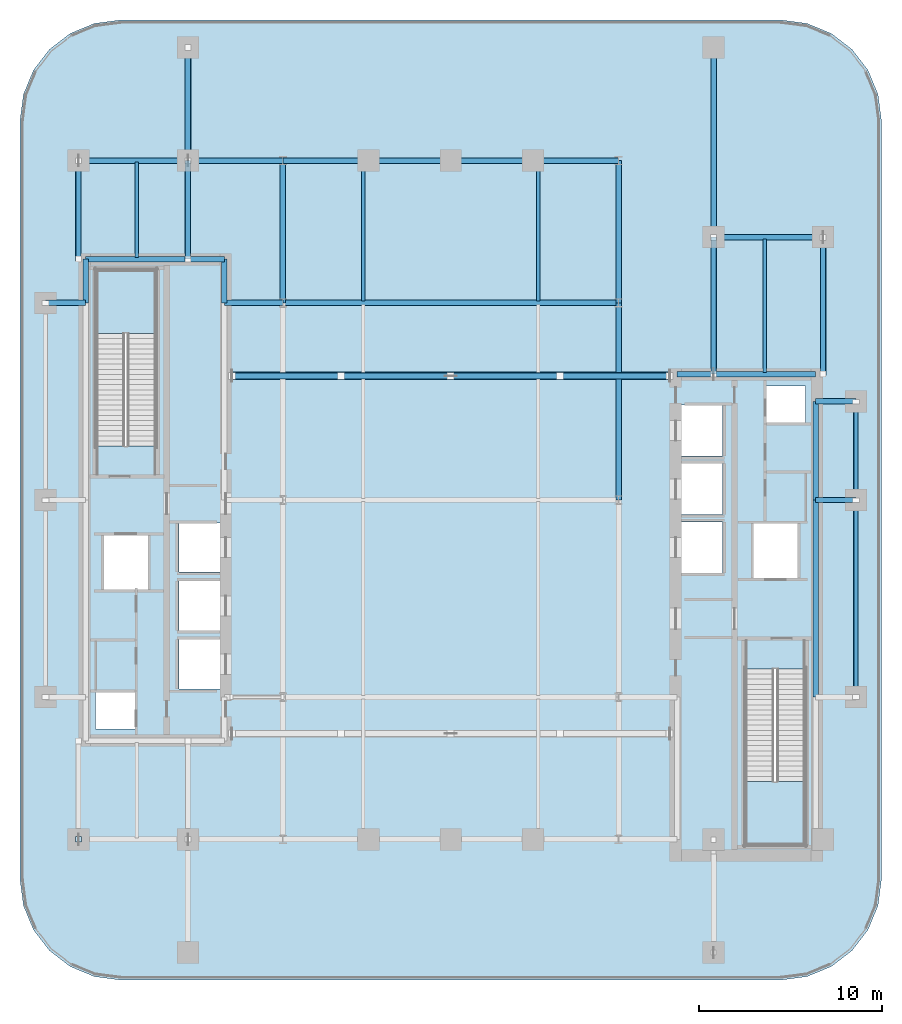
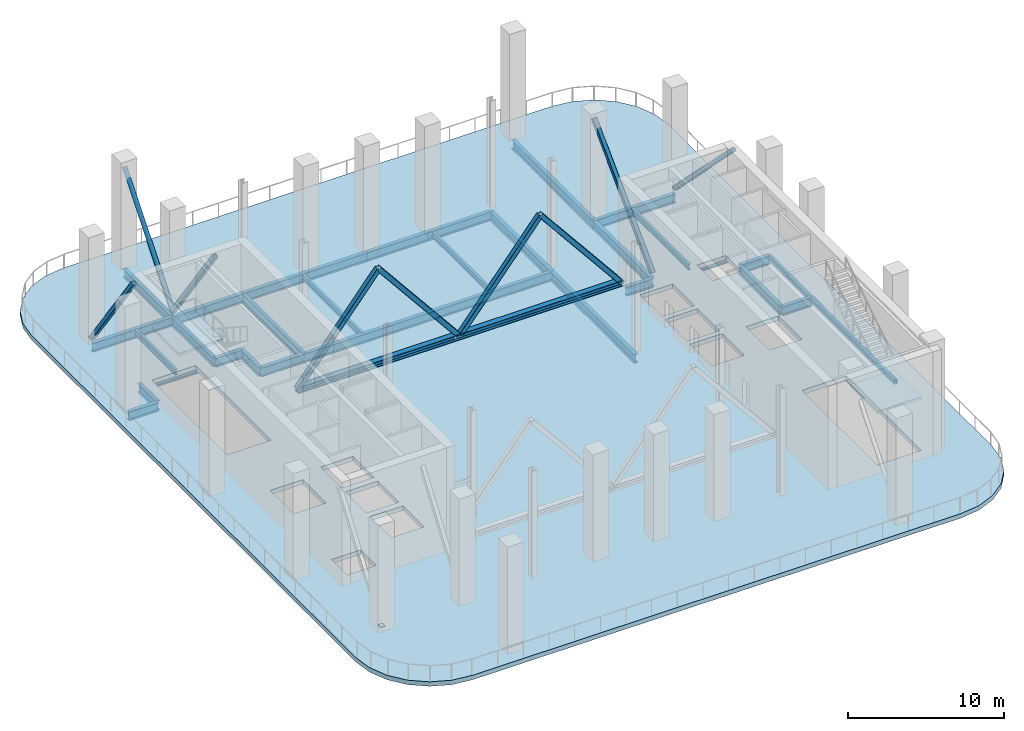
# One storey, part 2 of 13: 33 beams, 10 members, 3 slabs, 1 plate, 2 elements without a shape of their own.
"""IFC4 building model written with IfcOpenShell, lengths in metres."""

from ifc_helpers import new_model, si_unit, direction, frame, origin, origin_2d, place, context, subcontext, project, spatial, polyline, rectangle, hollow_rectangle, hollow_circle, i_section, outline, extrude, material, layer, layer_set, material_profile, profile_set, type_object, element, aggregate, save


model = new_model("IFC4")

# Units and contexts
model_context = context("Model", 3, precision=1e-05, world=origin(), true_north=direction((0.0, 1.0)))
body_context = subcontext(model_context, "Body", "Model", "MODEL_VIEW")
ifc_project = project(units=[si_unit("LENGTHUNIT", "METRE"), si_unit("AREAUNIT", "SQUARE_METRE"), si_unit("VOLUMEUNIT", "CUBIC_METRE"), si_unit("PLANEANGLEUNIT", "RADIAN"), si_unit("MASSUNIT", "GRAM", prefix="KILO")], contexts=[model_context])

# Site, building, storey
site_placement = place(None, origin())
site = spatial("IfcSite", under=ifc_project, at=site_placement, CompositionType="ELEMENT")
building_placement = place(site_placement, origin())
building = spatial("IfcBuilding", under=site, at=building_placement, Name="Khairoan Windgate Tower", CompositionType="ELEMENT")
storey_placement = place(building_placement, frame((0.0, 0.0, 152.0)))
storey = spatial("IfcBuildingStorey", under=building, at=storey_placement, Name="L35", CompositionType="ELEMENT", Elevation=152.0)

# Beams
ifc_material_1 = material(Name="Steel S355", Category="steel")
ifc_material_profile_1 = material_profile(ifc_material_1, i_section(OverallWidth=0.300048828125, OverallDepth=0.699951171875, WebThickness=0.012939453125, FlangeThickness=0.02392578125, FilletRadius=0.02587890625, at=origin_2d()))
ifc_profile_set_1 = profile_set([ifc_material_profile_1], Name="Steel S355")
beam_type_1 = type_object("IfcBeamType", Name="Beam B-G3 H700x300x13x24", PredefinedType="BEAM", material=ifc_profile_set_1)
for number, where, z_axis, x_axis, name in (
    (1, (20.0, 0.0, -0.699951171875), (1.0, 0.0, 0.0), (0.0, 1.0, 0.0), "L35 E-W Primary Girder 18"),
    (2, (20.0, 5.39990234375, -0.699951171875), (1.0, 0.0, 0.0), (0.0, 1.0, 0.0), "L35 E-W Primary Girder 19"),
):
    element("IfcBeam", number, at=place(storey_placement, frame(where, z_axis=z_axis, x_axis=x_axis)), inside=storey, type_object=beam_type_1, Name=name, PredefinedType="BEAM", context=body_context, shape_type="SweptSolid", body=[
        extrude(i_section(OverallWidth=0.300048828125, OverallDepth=0.699951171875, WebThickness=0.012939453125, FlangeThickness=0.02392578125, FilletRadius=0.02587890625, at=origin_2d()), origin(), (0.0, 0.0, 1.0), 2.199951171875),
    ])
beam_1_placement = place(storey_placement, frame((12.39990234375, 6.89990234375, -0.699951171875), z_axis=(1.0, 0.0, 0.0), x_axis=(0.0, 1.0, 0.0)))
element("IfcBeam", 3, at=beam_1_placement, inside=storey, type_object=beam_type_1, Name="L35 E-W Primary Girder 20", PredefinedType="BEAM", context=body_context, shape_type="SweptSolid", body=[
    extrude(i_section(OverallWidth=0.300048828125, OverallDepth=0.699951171875, WebThickness=0.012939453125, FlangeThickness=0.02392578125, FilletRadius=0.02587890625, at=origin_2d()), origin(), (0.0, 0.0, 1.0), 2.0),
])
beam_2_placement = place(storey_placement, frame((14.39990234375, 6.89990234375, -0.699951171875), z_axis=(1.0, 0.0, 0.0), x_axis=(0.0, 1.0, 0.0)))
element("IfcBeam", 4, at=beam_2_placement, inside=storey, type_object=beam_type_1, Name="L35 E-W Primary Girder 21", PredefinedType="BEAM", context=body_context, shape_type="SweptSolid", body=[
    extrude(i_section(OverallWidth=0.300048828125, OverallDepth=0.699951171875, WebThickness=0.012939453125, FlangeThickness=0.02392578125, FilletRadius=0.02587890625, at=origin_2d()), origin(), (0.0, 0.0, 1.0), 5.60009765625),
])
beam_3_placement = place(storey_placement, frame((-22.199951171875, 10.800048828125, -0.699951171875), z_axis=(1.0, 0.0, 0.0), x_axis=(0.0, 1.0, 0.0)))
element("IfcBeam", 5, at=beam_3_placement, inside=storey, type_object=beam_type_1, Name="L35 E-W Primary Girder 22", PredefinedType="BEAM", context=body_context, shape_type="SweptSolid", body=[
    extrude(i_section(OverallWidth=0.300048828125, OverallDepth=0.699951171875, WebThickness=0.012939453125, FlangeThickness=0.02392578125, FilletRadius=0.02587890625, at=origin_2d()), origin(), (0.0, 0.0, 1.0), 2.199951171875),
])
beam_4_placement = place(storey_placement, frame((-12.39990234375, 10.800048828125, -0.699951171875), z_axis=(1.0, 0.0, 0.0), x_axis=(0.0, 1.0, 0.0)))
element("IfcBeam", 6, at=beam_4_placement, inside=storey, type_object=beam_type_1, Name="L35 E-W Primary Girder 23", PredefinedType="BEAM", context=body_context, shape_type="SweptSolid", body=[
    extrude(i_section(OverallWidth=0.300048828125, OverallDepth=0.699951171875, WebThickness=0.012939453125, FlangeThickness=0.02392578125, FilletRadius=0.02587890625, at=origin_2d()), origin(), (0.0, 0.0, 1.0), 3.199951171875),
])
beam_5_placement = place(storey_placement, frame((-9.199951171875, 10.800048828125, -0.699951171875), z_axis=(1.0, 0.0, 0.0), x_axis=(0.0, 1.0, 0.0)))
element("IfcBeam", 7, at=beam_5_placement, inside=storey, type_object=beam_type_1, Name="L35 E-W Primary Girder 24", PredefinedType="BEAM", context=body_context, shape_type="SweptSolid", body=[
    extrude(i_section(OverallWidth=0.300048828125, OverallDepth=0.699951171875, WebThickness=0.012939453125, FlangeThickness=0.02392578125, FilletRadius=0.02587890625, at=origin_2d()), origin(), (0.0, 0.0, 1.0), 18.39990234375),
])
beam_6_placement = place(storey_placement, frame((-20.0, 13.199951171875, -0.699951171875), z_axis=(1.0, 0.0, 0.0), x_axis=(0.0, 1.0, 0.0)))
element("IfcBeam", 8, at=beam_6_placement, inside=storey, type_object=beam_type_1, Name="L35 E-W Primary Girder 25", PredefinedType="BEAM", context=body_context, shape_type="SweptSolid", body=[
    extrude(i_section(OverallWidth=0.300048828125, OverallDepth=0.699951171875, WebThickness=0.012939453125, FlangeThickness=0.02392578125, FilletRadius=0.02587890625, at=origin_2d()), origin(), (0.0, 0.0, 1.0), 5.60009765625),
])
beam_7_placement = place(storey_placement, frame((-14.39990234375, 13.199951171875, -0.699951171875), z_axis=(1.0, 0.0, 0.0), x_axis=(0.0, 1.0, 0.0)))
element("IfcBeam", 9, at=beam_7_placement, inside=storey, type_object=beam_type_1, Name="L35 E-W Primary Girder 26", PredefinedType="BEAM", context=body_context, shape_type="SweptSolid", body=[
    extrude(i_section(OverallWidth=0.300048828125, OverallDepth=0.699951171875, WebThickness=0.012939453125, FlangeThickness=0.02392578125, FilletRadius=0.02587890625, at=origin_2d()), origin(), (0.0, 0.0, 1.0), 2.0),
])
for number, where, z_axis, x_axis, name in (
    (10, (14.39990234375, 14.39990234375, -0.699951171875), (1.0, 0.0, 0.0), (0.0, 1.0, 0.0), "L35 E-W Primary Girder 27"),
    (11, (-20.39990234375, 18.60009765625, -0.699951171875), (1.0, 0.0, 0.0), (0.0, 1.0, 0.0), "L35 E-W Primary Girder 28"),
):
    element("IfcBeam", number, at=place(storey_placement, frame(where, z_axis=z_axis, x_axis=x_axis)), inside=storey, type_object=beam_type_1, Name=name, PredefinedType="BEAM", context=body_context, shape_type="SweptSolid", body=[
        extrude(i_section(OverallWidth=0.300048828125, OverallDepth=0.699951171875, WebThickness=0.012939453125, FlangeThickness=0.02392578125, FilletRadius=0.02587890625, at=origin_2d()), origin(), (0.0, 0.0, 1.0), 6.0),
    ])
beam_8_placement = place(storey_placement, frame((-14.39990234375, 18.60009765625, -0.699951171875), z_axis=(1.0, 0.0, 0.0), x_axis=(0.0, 1.0, 0.0)))
element("IfcBeam", 12, at=beam_8_placement, inside=storey, type_object=beam_type_1, Name="L35 E-W Primary Girder 29", PredefinedType="BEAM", context=body_context, shape_type="SweptSolid", body=[
    extrude(i_section(OverallWidth=0.300048828125, OverallDepth=0.699951171875, WebThickness=0.012939453125, FlangeThickness=0.02392578125, FilletRadius=0.02587890625, at=origin_2d()), origin(), (0.0, 0.0, 1.0), 5.199951171875),
])
beam_9_placement = place(storey_placement, frame((-9.199951171875, 18.60009765625, -0.699951171875), z_axis=(1.0, 0.0, 0.0), x_axis=(0.0, 1.0, 0.0)))
element("IfcBeam", 13, at=beam_9_placement, inside=storey, type_object=beam_type_1, Name="L35 E-W Primary Girder 30", PredefinedType="BEAM", context=body_context, shape_type="SweptSolid", body=[
    extrude(i_section(OverallWidth=0.300048828125, OverallDepth=0.699951171875, WebThickness=0.012939453125, FlangeThickness=0.02392578125, FilletRadius=0.02587890625, at=origin_2d()), origin(), (0.0, 0.0, 1.0), 4.699951171875),
])
for number, where, z_axis, x_axis, name in (
    (14, (-4.5, 18.60009765625, -0.699951171875), (1.0, 0.0, 0.0), (0.0, 1.0, 0.0), "L35 E-W Primary Girder 31"),
    (15, (0.0, 18.60009765625, -0.699951171875), (1.0, 0.0, 0.0), (0.0, 1.0, 0.0), "L35 E-W Primary Girder 32"),
):
    element("IfcBeam", number, at=place(storey_placement, frame(where, z_axis=z_axis, x_axis=x_axis)), inside=storey, type_object=beam_type_1, Name=name, PredefinedType="BEAM", context=body_context, shape_type="SweptSolid", body=[
        extrude(i_section(OverallWidth=0.300048828125, OverallDepth=0.699951171875, WebThickness=0.012939453125, FlangeThickness=0.02392578125, FilletRadius=0.02587890625, at=origin_2d()), origin(), (0.0, 0.0, 1.0), 4.5),
    ])
beam_10_placement = place(storey_placement, frame((4.5, 18.60009765625, -0.699951171875), z_axis=(1.0, 0.0, 0.0), x_axis=(0.0, 1.0, 0.0)))
element("IfcBeam", 16, at=beam_10_placement, inside=storey, type_object=beam_type_1, Name="L35 E-W Primary Girder 33", PredefinedType="BEAM", context=body_context, shape_type="SweptSolid", body=[
    extrude(i_section(OverallWidth=0.300048828125, OverallDepth=0.699951171875, WebThickness=0.012939453125, FlangeThickness=0.02392578125, FilletRadius=0.02587890625, at=origin_2d()), origin(), (0.0, 0.0, 1.0), 4.699951171875),
])
beam_11_placement = place(storey_placement, frame((-20.0, 10.800048828125, -0.699951171875), z_axis=(0.0, 1.0, 0.0), x_axis=(-1.0, 0.0, 0.0)))
element("IfcBeam", 17, at=beam_11_placement, inside=storey, type_object=beam_type_1, Name="L35 N-S Primary Beam 39", PredefinedType="BEAM", context=body_context, shape_type="SweptSolid", body=[
    extrude(i_section(OverallWidth=0.300048828125, OverallDepth=0.699951171875, WebThickness=0.012939453125, FlangeThickness=0.02392578125, FilletRadius=0.02587890625, at=origin_2d()), origin(), (0.0, 0.0, 1.0), 2.39990234375),
])
beam_12_placement = place(storey_placement, frame((-14.39990234375, 13.199951171875, -0.699951171875), z_axis=(0.0, 1.0, 0.0), x_axis=(-1.0, 0.0, 0.0)))
element("IfcBeam", 18, at=beam_12_placement, inside=storey, type_object=beam_type_1, Name="L35 N-S Primary Beam 42", PredefinedType="BEAM", context=body_context, shape_type="SweptSolid", body=[
    extrude(i_section(OverallWidth=0.300048828125, OverallDepth=0.699951171875, WebThickness=0.012939453125, FlangeThickness=0.02392578125, FilletRadius=0.02587890625, at=origin_2d()), origin(), (0.0, 0.0, 1.0), 5.400146484375),
])
beam_13_placement = place(storey_placement, frame((-14.39990234375, 18.60009765625, -0.699951171875), z_axis=(0.0, 1.0, 0.0), x_axis=(-1.0, 0.0, 0.0)))
element("IfcBeam", 19, at=beam_13_placement, inside=storey, type_object=beam_type_1, Name="L35 N-S Primary Beam 43", PredefinedType="BEAM", context=body_context, shape_type="SweptSolid", body=[
    extrude(i_section(OverallWidth=0.300048828125, OverallDepth=0.699951171875, WebThickness=0.012939453125, FlangeThickness=0.02392578125, FilletRadius=0.02587890625, at=origin_2d()), origin(), (0.0, 0.0, 1.0), 6.199951171875),
])
beam_14_placement = place(storey_placement, frame((-12.39990234375, 10.800048828125, -0.699951171875), z_axis=(0.0, 1.0, 0.0), x_axis=(-1.0, 0.0, 0.0)))
element("IfcBeam", 20, at=beam_14_placement, inside=storey, type_object=beam_type_1, Name="L35 N-S Primary Beam 46", PredefinedType="BEAM", context=body_context, shape_type="SweptSolid", body=[
    extrude(i_section(OverallWidth=0.300048828125, OverallDepth=0.699951171875, WebThickness=0.012939453125, FlangeThickness=0.02392578125, FilletRadius=0.02587890625, at=origin_2d()), origin(), (0.0, 0.0, 1.0), 2.39990234375),
])
beam_15_placement = place(storey_placement, frame((-9.199951171875, 10.800048828125, -0.699951171875), z_axis=(0.0, 1.0, 0.0), x_axis=(-1.0, 0.0, 0.0)))
element("IfcBeam", 21, at=beam_15_placement, inside=storey, type_object=beam_type_1, Name="L35 N-S Primary Beam 50", PredefinedType="BEAM", context=body_context, shape_type="SweptSolid", body=[
    extrude(i_section(OverallWidth=0.300048828125, OverallDepth=0.699951171875, WebThickness=0.012939453125, FlangeThickness=0.02392578125, FilletRadius=0.02587890625, at=origin_2d()), origin(), (0.0, 0.0, 1.0), 7.800048828125),
])
beam_16_placement = place(storey_placement, frame((9.199951171875, 0.0, -0.699951171875), z_axis=(0.0, 1.0, 0.0), x_axis=(-1.0, 0.0, 0.0)))
element("IfcBeam", 22, at=beam_16_placement, inside=storey, type_object=beam_type_1, Name="L35 N-S Primary Beam 53", PredefinedType="BEAM", context=body_context, shape_type="SweptSolid", body=[
    extrude(i_section(OverallWidth=0.300048828125, OverallDepth=0.699951171875, WebThickness=0.012939453125, FlangeThickness=0.02392578125, FilletRadius=0.02587890625, at=origin_2d()), origin(), (0.0, 0.0, 1.0), 10.800048828125),
])
beam_17_placement = place(storey_placement, frame((9.199951171875, 10.800048828125, -0.699951171875), z_axis=(0.0, 1.0, 0.0), x_axis=(-1.0, 0.0, 0.0)))
element("IfcBeam", 23, at=beam_17_placement, inside=storey, type_object=beam_type_1, Name="L35 N-S Primary Beam 54", PredefinedType="BEAM", context=body_context, shape_type="SweptSolid", body=[
    extrude(i_section(OverallWidth=0.300048828125, OverallDepth=0.699951171875, WebThickness=0.012939453125, FlangeThickness=0.02392578125, FilletRadius=0.02587890625, at=origin_2d()), origin(), (0.0, 0.0, 1.0), 7.800048828125),
])
beam_18_placement = place(storey_placement, frame((14.39990234375, 6.89990234375, -0.699951171875), z_axis=(0.0, 1.0, 0.0), x_axis=(-1.0, 0.0, 0.0)))
element("IfcBeam", 24, at=beam_18_placement, inside=storey, type_object=beam_type_1, Name="L35 N-S Primary Beam 57", PredefinedType="BEAM", context=body_context, shape_type="SweptSolid", body=[
    extrude(i_section(OverallWidth=0.300048828125, OverallDepth=0.699951171875, WebThickness=0.012939453125, FlangeThickness=0.02392578125, FilletRadius=0.02587890625, at=origin_2d()), origin(), (0.0, 0.0, 1.0), 7.5),
])
beam_19_placement = place(storey_placement, frame((14.39990234375, 14.39990234375, -0.699951171875), z_axis=(0.0, 1.0, 0.0), x_axis=(-1.0, 0.0, 0.0)))
element("IfcBeam", 25, at=beam_19_placement, inside=storey, type_object=beam_type_1, Name="L35 N-S Primary Beam 58", PredefinedType="BEAM", context=body_context, shape_type="SweptSolid", body=[
    extrude(i_section(OverallWidth=0.300048828125, OverallDepth=0.699951171875, WebThickness=0.012939453125, FlangeThickness=0.02392578125, FilletRadius=0.02587890625, at=origin_2d()), origin(), (0.0, 0.0, 1.0), 10.400146484375),
])
beam_20_placement = place(storey_placement, frame((20.0, -10.800048828125, -0.699951171875), z_axis=(0.0, 1.0, 0.0), x_axis=(-1.0, 0.0, 0.0)))
element("IfcBeam", 26, at=beam_20_placement, inside=storey, type_object=beam_type_1, Name="L35 N-S Primary Beam 60", PredefinedType="BEAM", context=body_context, shape_type="SweptSolid", body=[
    extrude(i_section(OverallWidth=0.300048828125, OverallDepth=0.699951171875, WebThickness=0.012939453125, FlangeThickness=0.02392578125, FilletRadius=0.02587890625, at=origin_2d()), origin(), (0.0, 0.0, 1.0), 10.800048828125),
])
beam_21_placement = place(storey_placement, frame((20.0, 0.0, -0.699951171875), z_axis=(0.0, 1.0, 0.0), x_axis=(-1.0, 0.0, 0.0)))
element("IfcBeam", 27, at=beam_21_placement, inside=storey, type_object=beam_type_1, Name="L35 N-S Primary Beam 61", PredefinedType="BEAM", context=body_context, shape_type="SweptSolid", body=[
    extrude(i_section(OverallWidth=0.300048828125, OverallDepth=0.699951171875, WebThickness=0.012939453125, FlangeThickness=0.02392578125, FilletRadius=0.02587890625, at=origin_2d()), origin(), (0.0, 0.0, 1.0), 5.39990234375),
])
ifc_material_2 = material(Name="Steel S355", Category="steel")
ifc_material_profile_2 = material_profile(ifc_material_2, i_section(OverallWidth=0.199951171875, OverallDepth=0.449951171875, WebThickness=0.009033203125, FlangeThickness=0.013916015625, FilletRadius=0.01806640625, at=origin_2d()))
ifc_profile_set_2 = profile_set([ifc_material_profile_2], Name="Steel S355")
beam_type_2 = type_object("IfcBeamType", Name="Beam J-S3 H450x200x9x14", PredefinedType="JOIST", material=ifc_profile_set_2)
beam_22_placement = place(storey_placement, frame((-17.199951171875, 13.2900390625, -0.574951171875), z_axis=(0.0, 1.0, 0.0), x_axis=(-1.0, 0.0, 0.0)))
element("IfcBeam", 28, at=beam_22_placement, inside=storey, type_object=beam_type_2, Name="L35 Secondary Floor Joist 02", PredefinedType="JOIST", context=body_context, shape_type="SweptSolid", body=[
    extrude(i_section(OverallWidth=0.199951171875, OverallDepth=0.449951171875, WebThickness=0.009033203125, FlangeThickness=0.013916015625, FilletRadius=0.01806640625, at=origin_2d()), origin(), (0.0, 0.0, 1.0), 5.219970703125),
])
for number, where, z_axis, x_axis, name in (
    (29, (-4.800048828125, 10.889892578125, -0.574951171875), (0.0, 1.0, 0.0), (-1.0, 0.0, 0.0), "L35 Secondary Floor Joist 06"),
    (30, (4.800048828125, 10.889892578125, -0.574951171875), (0.0, 1.0, 0.0), (-1.0, 0.0, 0.0), "L35 Secondary Floor Joist 10"),
):
    element("IfcBeam", number, at=place(storey_placement, frame(where, z_axis=z_axis, x_axis=x_axis)), inside=storey, type_object=beam_type_2, Name=name, PredefinedType="JOIST", context=body_context, shape_type="SweptSolid", body=[
        extrude(i_section(OverallWidth=0.199951171875, OverallDepth=0.449951171875, WebThickness=0.009033203125, FlangeThickness=0.013916015625, FilletRadius=0.01806640625, at=origin_2d()), origin(), (0.0, 0.0, 1.0), 7.6201171875),
    ])
beam_23_placement = place(storey_placement, frame((17.199951171875, 6.989990234375, -0.574951171875), z_axis=(0.0, 1.0, 0.0), x_axis=(-1.0, 0.0, 0.0)))
element("IfcBeam", 31, at=beam_23_placement, inside=storey, type_object=beam_type_2, Name="L35 Secondary Floor Joist 11", PredefinedType="JOIST", context=body_context, shape_type="SweptSolid", body=[
    extrude(i_section(OverallWidth=0.199951171875, OverallDepth=0.449951171875, WebThickness=0.009033203125, FlangeThickness=0.013916015625, FilletRadius=0.01806640625, at=origin_2d()), origin(), (0.0, 0.0, 1.0), 7.320068359375),
])
ifc_material_3 = material(Name="Steel S355", Category="steel")
ifc_material_profile_3 = material_profile(ifc_material_3, hollow_rectangle(XDim=0.25, YDim=0.35009765625, WallThickness=0.012451171875, InnerFilletRadius=0.012451171875, OuterFilletRadius=0.02490234375, at=origin_2d()))
ifc_profile_set_3 = profile_set([ifc_material_profile_3], Name="Steel S355")
beam_type_3 = type_object("IfcBeamType", Name="Beam SP-B2 RHS350x250x12.5", PredefinedType="SPANDREL", material=ifc_profile_set_3)
beam_24_placement = place(storey_placement, frame((22.199951171875, -10.800048828125, -0.52490234375), z_axis=(0.0, 1.0, 0.0), x_axis=(-1.0, 0.0, 0.0)))
element("IfcBeam", 32, at=beam_24_placement, inside=storey, type_object=beam_type_3, Name="L35 Spandrel Beam 62", PredefinedType="SPANDREL", context=body_context, shape_type="SweptSolid", body=[
    extrude(hollow_rectangle(XDim=0.25, YDim=0.35009765625, WallThickness=0.012451171875, InnerFilletRadius=0.012451171875, OuterFilletRadius=0.02490234375, at=origin_2d()), origin(), (0.0, 0.0, 1.0), 10.800048828125),
])
beam_25_placement = place(storey_placement, frame((22.199951171875, 0.0, -0.52490234375), z_axis=(0.0, 1.0, 0.0), x_axis=(-1.0, 0.0, 0.0)))
element("IfcBeam", 33, at=beam_25_placement, inside=storey, type_object=beam_type_3, Name="L35 Spandrel Beam 63", PredefinedType="SPANDREL", context=body_context, shape_type="SweptSolid", body=[
    extrude(hollow_rectangle(XDim=0.25, YDim=0.35009765625, WallThickness=0.012451171875, InnerFilletRadius=0.012451171875, OuterFilletRadius=0.02490234375, at=origin_2d()), origin(), (0.0, 0.0, 1.0), 5.39990234375),
])

# Members
ifc_material_4 = material(Name="Steel S355", Category="steel")
ifc_material_profile_4 = material_profile(ifc_material_4, hollow_rectangle(XDim=0.300048828125, YDim=0.300048828125, WallThickness=0.01611328125, InnerFilletRadius=0.01611328125, OuterFilletRadius=0.031982421875, at=origin_2d()))
ifc_profile_set_4 = profile_set([ifc_material_profile_4], Name="Steel S355")
member_type_1 = type_object("IfcMemberType", Name="Structural Member BR-BT1 SHS300x300x16", PredefinedType="BRACE", material=ifc_profile_set_4)
for number, where, z_axis, x_axis, name in (
    (34, (-20.39990234375, 13.199951171875, 7.590087890625), (0.0, 0.580736398103, -0.814091663094), (0.0, 0.814091663094, 0.580736398103), "L35 Wing Belt-Truss Brace 02"),
    (35, (-14.39990234375, 13.199951171875, 7.590087890625), (0.0, 0.580736398103, -0.814091663094), (0.0, 0.814091663094, 0.580736398103), "L35 Wing Belt-Truss Brace 04"),
):
    element("IfcMember", number, at=place(storey_placement, frame(where, z_axis=z_axis, x_axis=x_axis)), inside=storey, type_object=member_type_1, Name=name, PredefinedType="BRACE", context=body_context, shape_type="SweptSolid", body=[
        extrude(hollow_rectangle(XDim=0.300048828125, YDim=0.300048828125, WallThickness=0.01611328125, InnerFilletRadius=0.01611328125, OuterFilletRadius=0.031982421875, at=origin_2d()), origin(), (0.0, 0.0, 1.0), 9.298828125),
    ])
for number, where, z_axis, x_axis, name in (
    (36, (14.39990234375, 6.89990234375, 0.02001953125), (0.0, 0.703811477195, 0.710386799264), (0.0, -0.710386799264, 0.703811477195), "L35 Wing Belt-Truss Brace 05"),
    (37, (20.39990234375, 6.89990234375, 7.590087890625), (0.0, 0.703811477195, -0.710386799264), (0.0, 0.710386799264, 0.703811477195), "L35 Wing Belt-Truss Brace 06"),
):
    element("IfcMember", number, at=place(storey_placement, frame(where, z_axis=z_axis, x_axis=x_axis)), inside=storey, type_object=member_type_1, Name=name, PredefinedType="BRACE", context=body_context, shape_type="SweptSolid", body=[
        extrude(hollow_rectangle(XDim=0.300048828125, YDim=0.300048828125, WallThickness=0.01611328125, InnerFilletRadius=0.01611328125, OuterFilletRadius=0.031982421875, at=origin_2d()), origin(), (0.0, 0.0, 1.0), 10.65625),
    ])
ifc_material_5 = material(Name="Steel S355", Category="steel")
ifc_material_profile_5 = material_profile(ifc_material_5, hollow_circle(Radius=0.161865234375, WallThickness=0.01611328125, at=origin_2d()))
ifc_profile_set_5 = profile_set([ifc_material_profile_5], Name="Steel S355")
member_type_2 = type_object("IfcMemberType", Name="Structural Member BR-CR1 CHS323.9x16", PredefinedType="BRACE", material=ifc_profile_set_5)
member_1_placement = place(storey_placement, frame((-14.39990234375, 18.60009765625, 0.02001953125), z_axis=(0.0, 0.633620865172, 0.773643715943), x_axis=(0.0, -0.773643715943, 0.633620865172)))
element("IfcMember", 38, at=member_1_placement, inside=storey, type_object=member_type_2, Name="L35 Portal Belt Tubular Brace BR-CR-1", PredefinedType="BRACE", context=body_context, shape_type="SweptSolid", body=[
    extrude(hollow_circle(Radius=0.161865234375, WallThickness=0.01611328125, at=origin_2d()), origin(), (0.0, 0.0, 1.0), 9.784912109375),
])
ifc_material_6 = material(Name="Steel S355", Category="steel")
ifc_material_profile_6 = material_profile(ifc_material_6, hollow_rectangle(XDim=0.35009765625, YDim=0.35009765625, WallThickness=0.01611328125, InnerFilletRadius=0.01611328125, OuterFilletRadius=0.031982421875, at=origin_2d()))
ifc_profile_set_6 = profile_set([ifc_material_profile_6], Name="Steel S355")
member_type_3 = type_object("IfcMemberType", Name="Structural Member BR-OT2 SHS350x350x16", PredefinedType="BRACE", material=ifc_profile_set_6)
for number, where, z_axis, x_axis, name in (
    (39, (-12.0, 6.800048828125, 0.219970703125), (0.631338953515, 0.0, 0.775507012073), (0.0, 1.0, 0.0), "L35 Outrigger Diagonal Brace 05"),
    (40, (-6.0, 6.800048828125, 7.590087890625), (0.631338953515, 0.0, -0.775507012073), (0.0, 1.0, 0.0), "L35 Outrigger Diagonal Brace 06"),
    (41, (0.0, 6.800048828125, 0.219970703125), (0.631338953515, 0.0, 0.775507012073), (0.0, 1.0, 0.0), "L35 Outrigger Diagonal Brace 07"),
    (42, (6.0, 6.800048828125, 7.590087890625), (0.631338953515, 0.0, -0.775507012073), (0.0, 1.0, 0.0), "L35 Outrigger Diagonal Brace 08"),
):
    element("IfcMember", number, at=place(storey_placement, frame(where, z_axis=z_axis, x_axis=x_axis)), inside=storey, type_object=member_type_3, Name=name, PredefinedType="BRACE", context=body_context, shape_type="SweptSolid", body=[
        extrude(hollow_rectangle(XDim=0.35009765625, YDim=0.35009765625, WallThickness=0.01611328125, InnerFilletRadius=0.01611328125, OuterFilletRadius=0.031982421875, at=origin_2d()), origin(), (0.0, 0.0, 1.0), 9.503662109375),
    ])
ifc_material_7 = material(Name="Steel S355", Category="steel")
ifc_material_profile_7 = material_profile(ifc_material_7, i_section(OverallWidth=0.406982421875, OverallDepth=0.427978515625, WebThickness=0.02001953125, FlangeThickness=0.034912109375, FilletRadius=0.02197265625, at=origin_2d()))
ifc_profile_set_7 = profile_set([ifc_material_profile_7], Name="Steel S355")
member_type_4 = type_object("IfcMemberType", Name="Structural Member CHB-1 H428x407x20x35", PredefinedType="CHORD", material=ifc_profile_set_7)
member_2_placement = place(storey_placement, frame((-12.02001953125, 6.800048828125, 0.219970703125), z_axis=(1.0, 0.0, 0.0), x_axis=(0.0, 1.0, 0.0)))
element("IfcMember", 43, at=member_2_placement, inside=storey, type_object=member_type_4, Name="L35 Coupled Outrigger Bottom Tie Chord", PredefinedType="CHORD", context=body_context, shape_type="SweptSolid", body=[
    extrude(i_section(OverallWidth=0.406982421875, OverallDepth=0.427978515625, WebThickness=0.02001953125, FlangeThickness=0.034912109375, FilletRadius=0.02197265625, at=origin_2d()), origin(), (0.0, 0.0, 1.0), 24.0400390625),
])

# Plate
ifc_material_8 = material(Name="Steel S355", Category="steel")
ifc_layer_1 = layer(ifc_material_8, 0.0400390625, Name="Steel S355")
ifc_layer_set_1 = layer_set([ifc_layer_1], Name="Steel S355")
plate_type = type_object("IfcPlateType", Name="Hollow Section End-Cap Plate PL-CAP40", PredefinedType="SHEET", material=ifc_layer_set_1)
plate_placement = place(storey_placement, frame((-20.39990234375, -18.59130859375, 0.01220703125), z_axis=(0.0, 0.0, 1.0), x_axis=(0.0, 1.0, 0.0)))
element("IfcPlate", 44, at=plate_placement, inside=storey, type_object=plate_type, Name="BR-BT-L35-01 steel end-cap plate 1", PredefinedType="SHEET", context=body_context, shape_type="SweptSolid", body=[
    extrude(rectangle(XDim=0.320068359375, YDim=0.320068359375, at=origin_2d()), origin(), (0.0, 0.0, 1.0), 0.0400390625),
])

# Slab
ifc_material_9 = material(Name="Concrete C50/60", Category="concrete")
ifc_layer_2 = layer(ifc_material_9, 0.35009765625, Name="Concrete C50/60")
ifc_layer_set_2 = layer_set([ifc_layer_2], Name="Concrete C50/60")
slab_type_1 = type_object("IfcSlabType", Name="Outrigger Diaphragm Slab OS1 350mm", PredefinedType="FLOOR", material=ifc_layer_set_2)
slab_1_placement = place(storey_placement, frame((0.0, 0.0, -0.35009765625)))
element("IfcSlab", 45, at=slab_1_placement, inside=storey, type_object=slab_type_1, Name="L35 Structural Floor Slab", PredefinedType="FLOOR", context=body_context, shape_type="SweptSolid", body=[
    extrude(outline(polyline([(18.10009765625, -26.300048828125), (19.5234375, -26.112548828125), (20.85009765625, -25.56298828125), (21.989013671875, -24.689208984375), (22.863037109375, -23.550048828125), (23.41259765625, -22.223388671875), (23.60009765625, -20.800048828125), (23.60009765625, 20.800048828125), (23.41259765625, 22.223388671875), (22.863037109375, 23.550048828125), (21.989013671875, 24.689208984375), (20.85009765625, 25.56298828125), (19.5234375, 26.112548828125), (18.10009765625, 26.300048828125), (-18.10009765625, 26.300048828125), (-19.5234375, 26.112548828125), (-20.85009765625, 25.56298828125), (-21.989013671875, 24.689208984375), (-22.863037109375, 23.550048828125), (-23.41259765625, 22.223388671875), (-23.60009765625, 20.800048828125), (-23.60009765625, -20.800048828125), (-23.41259765625, -22.223388671875), (-22.863037109375, -23.550048828125), (-21.989013671875, -24.689208984375), (-20.85009765625, -25.56298828125), (-19.5234375, -26.112548828125), (-18.10009765625, -26.300048828125), (18.10009765625, -26.300048828125)]), holes=[polyline([(16.14990234375, -9.260009765625), (16.14990234375, -18.89990234375), (19.419921875, -18.89990234375), (19.419921875, -9.260009765625), (16.14990234375, -9.260009765625)]), polyline([(-16.14990234375, 2.9599609375), (-16.14990234375, 12.60009765625), (-19.419921875, 12.60009765625), (-19.419921875, 2.9599609375), (-16.14990234375, 2.9599609375)]), polyline([(-14.89990234375, -3.949951171875), (-12.5, -3.949951171875), (-12.5, -1.25), (-14.89990234375, -1.25), (-14.89990234375, -3.949951171875)]), polyline([(-14.89990234375, -7.14990234375), (-12.5, -7.14990234375), (-12.5, -4.449951171875), (-14.89990234375, -4.449951171875), (-14.89990234375, -7.14990234375)]), polyline([(-14.89990234375, -10.35009765625), (-12.5, -10.35009765625), (-12.5, -7.64990234375), (-14.89990234375, -7.64990234375), (-14.89990234375, -10.35009765625)]), polyline([(12.5, 2.39990234375), (14.89990234375, 2.39990234375), (14.89990234375, 5.199951171875), (12.5, 5.199951171875), (12.5, 2.39990234375)]), polyline([(12.5, -0.800048828125), (14.89990234375, -0.800048828125), (14.89990234375, 2.0), (12.5, 2.0), (12.5, -0.800048828125)]), polyline([(12.5, -4.0), (14.89990234375, -4.0), (14.89990234375, -1.199951171875), (12.5, -1.199951171875), (12.5, -4.0)]), polyline([(16.60009765625, -4.300048828125), (19.0, -4.300048828125), (19.0, -1.300048828125), (16.60009765625, -1.300048828125), (16.60009765625, -4.300048828125)]), polyline([(-19.0, -4.89990234375), (-16.60009765625, -4.89990234375), (-16.60009765625, -1.89990234375), (-19.0, -1.89990234375), (-19.0, -4.89990234375)]), polyline([(-19.449951171875, -12.550048828125), (-17.31005859375, -12.550048828125), (-17.31005859375, -10.550048828125), (-19.449951171875, -10.550048828125), (-19.449951171875, -12.550048828125)]), polyline([(17.31005859375, 4.25), (19.449951171875, 4.25), (19.449951171875, 6.25), (17.31005859375, 6.25), (17.31005859375, 4.25)])]), origin(), (0.0, 0.0, 1.0), 0.35009765625),
])

# Stair, slab
ifc_material_10 = material(Name="Concrete C40/50", Category="concrete")
stair_type = type_object("IfcStairType", Name="Tower Core Dog-Leg Stair ST-T1 1560mm", PredefinedType="HALF_TURN_STAIR", material=ifc_material_10)
stair_1_placement = place(storey_placement, origin())
stair_1 = element("IfcStair", 46, at=stair_1_placement, inside=storey, type_object=stair_type, Name="L35 Stair ST1", PredefinedType="HALF_TURN_STAIR")
ifc_material_11 = material(Name="Concrete C40/50", Category="concrete")
ifc_layer_3 = layer(ifc_material_11, 0.199951171875, Name="Concrete C40/50")
ifc_layer_set_3 = layer_set([ifc_layer_3], Name="Concrete C40/50")
slab_type_2 = type_object("IfcSlabType", Name="Reinforced Concrete Stair Landing Slab STL-200", PredefinedType="LANDING", material=ifc_layer_set_3)
slab_2_placement = place(storey_placement, frame((0.0, 0.0, 4.0)))
slab_2 = element("IfcSlab", 47, at=slab_2_placement, type_object=slab_type_2, Name="ST1 landing 1", PredefinedType="LANDING", context=body_context, shape_type="SweptSolid", body=[
    extrude(outline(polyline([(16.14990234375, -15.419921875), (16.14990234375, -18.89990234375), (19.419921875, -18.89990234375), (19.419921875, -15.419921875), (16.14990234375, -15.419921875)])), origin(), (0.0, 0.0, 1.0), 0.199951171875),
])
aggregate(stair_1, [slab_2])

stair_2_placement = place(storey_placement, origin())
stair_2 = element("IfcStair", 48, at=stair_2_placement, inside=storey, type_object=stair_type, Name="L35 Stair ST2", PredefinedType="HALF_TURN_STAIR")
slab_3_placement = place(storey_placement, frame((0.0, 0.0, 4.0)))
slab_3 = element("IfcSlab", 49, at=slab_3_placement, type_object=slab_type_2, Name="ST2 landing 1", PredefinedType="LANDING", context=body_context, shape_type="SweptSolid", body=[
    extrude(outline(polyline([(-16.14990234375, 9.1201171875), (-16.14990234375, 12.60009765625), (-19.419921875, 12.60009765625), (-19.419921875, 9.1201171875), (-16.14990234375, 9.1201171875)])), origin(), (0.0, 0.0, 1.0), 0.199951171875),
])
aggregate(stair_2, [slab_3])

save(model, "model.ifc")
